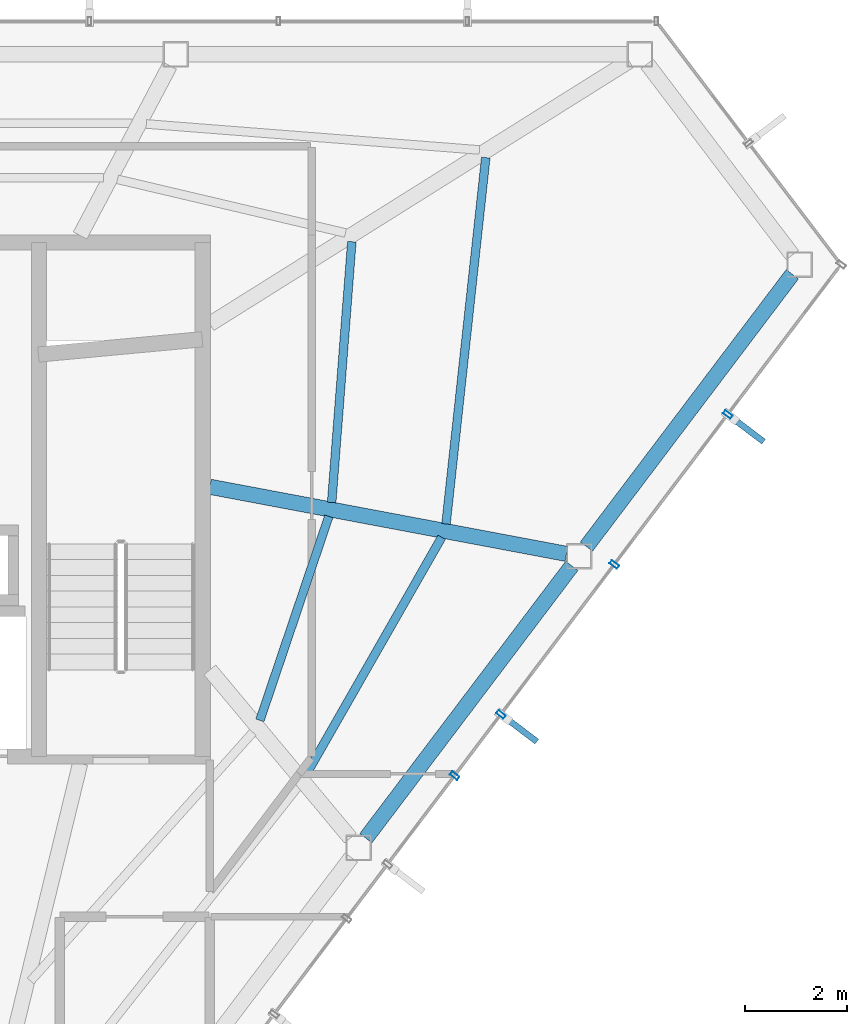
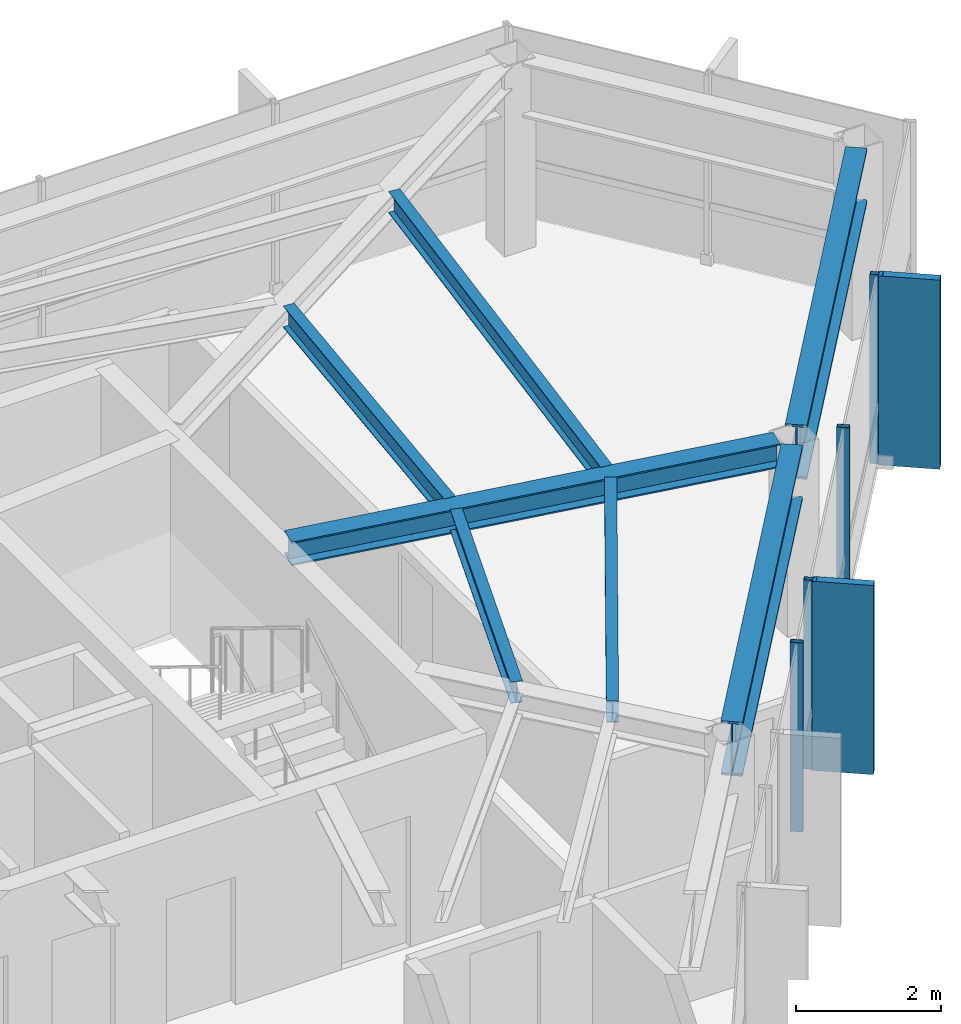
# One storey, part 17 of 24: 7 beams, 6 members, 1 element without a shape of its own.
"""IFC4 building model written with IfcOpenShell, lengths in metres."""

import ifcopenshell
import ifcopenshell.guid

model = None  # the IFC model being written
_history = None  # IfcOwnerHistory: only IFC2X3 demands one
_inside = {}  # id of a spatial element -> (the spatial element, [elements in it])
_under = {}  # id of a project, library or spatial element -> (it, [spatial elements below it])
_declared = {}  # id of a project -> (the project, [libraries it declares])
_typed = {}  # id of a type object -> (the type object, [elements of that type])
_made_of = {}  # id of a material, layer set ... -> (it, [elements and type objects made of it])


def new_model(schema):
    """Start an empty IFC model of exactly this schema.

    Asked for "IFC4X3", IfcOpenShell would pick the latest addendum, in which some entities
    have other attributes; the version numbers below select the first issue.
    IFC2X3 requires an IfcOwnerHistory on every rooted entity: one is made here for all.
    """
    global model, _history
    if schema == "IFC4X3":
        model = ifcopenshell.file(schema_version=(4, 3, 0, 0))
    else:
        model = ifcopenshell.file(schema=schema)
    _inside.clear()
    _under.clear()
    _declared.clear()
    _typed.clear()
    _made_of.clear()
    _history = None
    if model.schema == "IFC2X3":
        org = make("IfcOrganization", Name="unknown")
        user = make(
            "IfcPersonAndOrganization",
            ThePerson=make("IfcPerson", FamilyName="unknown"),
            TheOrganization=org,
        )
        app = make(
            "IfcApplication",
            ApplicationDeveloper=org,
            Version="unknown",
            ApplicationFullName="unknown",
            ApplicationIdentifier="unknown",
        )
        _history = make(
            "IfcOwnerHistory",
            OwningUser=user,
            OwningApplication=app,
            ChangeAction="ADDED",
            CreationDate=0,
        )
    return model


def make(cls, **values):
    """One entity of the class cls with the attributes given. An attribute that is None is left unset."""
    return model.create_entity(
        cls, **{name: value for name, value in values.items() if value is not None}
    )


def rooted(cls, **values):
    """An entity with a GlobalId (a new one), such as an element, a storey or a relation."""
    return make(cls, GlobalId=ifcopenshell.guid.new(), OwnerHistory=_history, **values)


def si_unit(unit_type, name, prefix=None):
    """IfcSIUnit, for example si_unit("LENGTHUNIT", "METRE", prefix="MILLI")."""
    return make("IfcSIUnit", UnitType=unit_type, Prefix=prefix, Name=name)


def assignment(units):
    """IfcUnitAssignment: the units of a project."""
    return None if units is None else make("IfcUnitAssignment", Units=units)


def point(xyz):
    """IfcCartesianPoint."""
    return None if xyz is None else make("IfcCartesianPoint", Coordinates=xyz)


def direction(xyz):
    """IfcDirection."""
    return None if xyz is None else make("IfcDirection", DirectionRatios=xyz)


def frame(location, z_axis=None, x_axis=None):
    """IfcAxis2Placement3D, a coordinate frame: its origin and axes. An axis left out is left unset."""
    return make(
        "IfcAxis2Placement3D",
        Location=point(location),
        Axis=direction(z_axis),
        RefDirection=direction(x_axis),
    )


def frame_2d(location, x_axis=None):
    """IfcAxis2Placement2D, a coordinate frame in the plane: its origin and x axis."""
    return make(
        "IfcAxis2Placement2D", Location=point(location), RefDirection=direction(x_axis)
    )


def origin():
    """The frame at (0, 0, 0) with its axes left unset."""
    return frame((0.0, 0.0, 0.0))


def origin_2d():
    """The frame at (0, 0) in the plane with its x axis left unset."""
    return frame_2d((0.0, 0.0))


def place(relative_to, where):
    """IfcLocalPlacement: puts the frame where relative to a parent placement (None: the world)."""
    return make(
        "IfcLocalPlacement", PlacementRelTo=relative_to, RelativePlacement=where
    )


def context(
    kind, dimensions, precision=None, world=None, true_north=None, identifier=None
):
    """IfcGeometricRepresentationContext, for example the 3D "Model" context."""
    return make(
        "IfcGeometricRepresentationContext",
        ContextIdentifier=identifier,
        ContextType=kind,
        CoordinateSpaceDimension=dimensions,
        Precision=precision,
        WorldCoordinateSystem=world,
        TrueNorth=true_north,
    )


def subcontext(parent, identifier, kind, view, scale=None):
    """IfcGeometricRepresentationSubContext, for example "Body" below "Model"."""
    return make(
        "IfcGeometricRepresentationSubContext",
        ContextIdentifier=identifier,
        ContextType=kind,
        ParentContext=parent,
        TargetScale=scale,
        TargetView=view,
    )


def project(units=None, contexts=None):
    """IfcProject with its units and contexts."""
    return rooted(
        "IfcProject",
        Name="project",
        RepresentationContexts=contexts,
        UnitsInContext=assignment(units),
    )


def spatial(cls, under=None, at=None, **own):
    """A site, building, storey or space (cls), placed at a placement, below another one or the project."""
    s = rooted(cls, ObjectPlacement=at, **own)
    if under is not None:
        _under.setdefault(under.id(), (under, []))[1].append(s)
    return s


def profile(cls, at=None, kind="AREA", **sizes):
    """A parametric profile (cls). Its sizes go by their IFC names, for example OverallWidth=200.0."""
    return make(cls, ProfileType=kind, Position=at, **sizes)


def rectangle(**sizes):
    """IfcRectangleProfileDef."""
    return profile("IfcRectangleProfileDef", **sizes)


def hollow_rectangle(**sizes):
    """IfcRectangleHollowProfileDef."""
    return profile("IfcRectangleHollowProfileDef", **sizes)


def i_section(**sizes):
    """IfcIShapeProfileDef."""
    return profile("IfcIShapeProfileDef", **sizes)


def extrude(swept, where, along, depth):
    """IfcExtrudedAreaSolid: the profile swept, set in the frame where, extruded along a direction by depth."""
    return make(
        "IfcExtrudedAreaSolid",
        SweptArea=swept,
        Position=where,
        ExtrudedDirection=direction(along),
        Depth=depth,
    )


def shape(context_of_items, identifier, shape_type, items):
    """IfcShapeRepresentation: the items that make up one representation, for example the "Body"."""
    return make(
        "IfcShapeRepresentation",
        ContextOfItems=context_of_items,
        RepresentationIdentifier=identifier,
        RepresentationType=shape_type,
        Items=items,
    )


def material(Name=None, Category=None):
    """IfcMaterial."""
    return make("IfcMaterial", Name=Name, Category=Category)


def layer(
    of_material, thickness, ventilated=None, Name=None, Category=None, Priority=None
):
    """IfcMaterialLayer: one layer of a wall or slab, of a material (None: an air gap)."""
    return make(
        "IfcMaterialLayer",
        Material=of_material,
        LayerThickness=thickness,
        IsVentilated=ventilated,
        Name=Name,
        Category=Category,
        Priority=Priority,
    )


def layer_set(layers, Name=None):
    """IfcMaterialLayerSet."""
    return make("IfcMaterialLayerSet", MaterialLayers=layers, LayerSetName=Name)


def material_profile(
    of_material, cross_section, Name=None, Category=None, Priority=None
):
    """IfcMaterialProfile: a cross section and its material."""
    return make(
        "IfcMaterialProfile",
        Name=Name,
        Material=of_material,
        Profile=cross_section,
        Priority=Priority,
        Category=Category,
    )


def profile_set(profiles, Name=None, composite=None):
    """IfcMaterialProfileSet."""
    return make(
        "IfcMaterialProfileSet",
        Name=Name,
        MaterialProfiles=profiles,
        CompositeProfile=composite,
    )


def made_of(thing, what):
    """Note that an element or type object is made of a material, layer set ...; save() writes the relation."""
    if what is not None:
        _made_of.setdefault(what.id(), (what, []))[1].append(thing)
    return thing


def type_object(cls, material=None, **own):
    """A type object (cls), such as IfcWallType, which elements share."""
    return made_of(rooted(cls, **own), material)


def element(
    cls,
    number,
    at=None,
    inside=None,
    cuts=None,
    type_object=None,
    material=None,
    context=None,
    identifier="Body",
    shape_type=None,
    held_by="IfcProductDefinitionShape",
    body=None,
    shapes=None,
    **own,
):
    """One element of the class cls, such as IfcWall. Its Tag is "e" and its number.

    at: its placement. inside: the storey or other place that contains it. cuts: it is an
    opening in that element (IfcRelVoidsElement). A single representation is given by context,
    identifier, shape_type and body (its items); several are given by shapes. held_by: the class
    of the entity that holds the representations. save() writes the other relations.
    """
    e = rooted(cls, Tag="e%d" % number, ObjectPlacement=at, **own)
    if body is not None:
        shapes = [shape(context, identifier, shape_type, body)]
    if shapes is not None:
        e.Representation = make(held_by, Representations=shapes)
    if inside is not None:
        _inside.setdefault(inside.id(), (inside, []))[1].append(e)
    if cuts is not None:
        rooted(
            "IfcRelVoidsElement", RelatingBuildingElement=cuts, RelatedOpeningElement=e
        )
    if type_object is not None:
        _typed.setdefault(type_object.id(), (type_object, []))[1].append(e)
    return made_of(e, material)


def aggregate(whole, parts):
    """IfcRelAggregates: a whole, such as a stair, and the parts it consists of."""
    return rooted("IfcRelAggregates", RelatingObject=whole, RelatedObjects=parts)


def save(model, path):
    """Write the relations noted so far, then the file.

    IfcRelAggregates (storeys below a building ...), IfcRelContainedInSpatialStructure (elements
    in a storey), IfcRelDefinesByType, IfcRelAssociatesMaterial and IfcRelDeclares: one each for
    every whole, place, type object, material and project.
    """
    for whole, parts in _under.values():
        aggregate(whole, parts)
    for where, things in _inside.values():
        rooted(
            "IfcRelContainedInSpatialStructure",
            RelatedElements=things,
            RelatingStructure=where,
        )
    for kind, things in _typed.values():
        rooted("IfcRelDefinesByType", RelatedObjects=things, RelatingType=kind)
    for what, things in _made_of.values():
        rooted("IfcRelAssociatesMaterial", RelatedObjects=things, RelatingMaterial=what)
    for by, libraries in _declared.values():
        rooted("IfcRelDeclares", RelatingContext=by, RelatedDefinitions=libraries)
    model.write(path)


model = new_model("IFC4")

# Units and contexts
model_context = context("Model", 3, precision=1e-05, world=origin(), true_north=direction((0.0, 1.0)))
body_context = subcontext(model_context, "Body", "Model", "MODEL_VIEW")
ifc_project = project(units=[si_unit("LENGTHUNIT", "METRE"), si_unit("AREAUNIT", "SQUARE_METRE"), si_unit("VOLUMEUNIT", "CUBIC_METRE"), si_unit("PLANEANGLEUNIT", "RADIAN"), si_unit("MASSUNIT", "GRAM", prefix="KILO")], contexts=[model_context])

# Site, building, storey
site_placement = place(None, origin())
site = spatial("IfcSite", under=ifc_project, at=site_placement, CompositionType="ELEMENT")
building_placement = place(site_placement, origin())
building = spatial("IfcBuilding", under=site, at=building_placement, Name="Zarrinselat Tower", CompositionType="ELEMENT")
storey_placement = place(building_placement, frame((0.0, 0.0, 272.0)))
storey = spatial("IfcBuildingStorey", under=building, at=storey_placement, Name="L69", CompositionType="ELEMENT", Elevation=272.0)

# Beams
ifc_material_1 = material(Name="Steel S355J2", Category="steel")
ifc_material_profile_1 = material_profile(ifc_material_1, i_section(OverallWidth=0.300048828125, OverallDepth=0.39990234375, WebThickness=0.013427734375, FlangeThickness=0.02392578125, at=origin_2d()), Name="HEB 400")
ifc_profile_set_1 = profile_set([ifc_material_profile_1], Name="Steel S355J2")
beam_type_1 = type_object("IfcBeamType", Name="BM-HEB400", PredefinedType="BEAM", material=ifc_profile_set_1)
beam_1_placement = place(storey_placement, frame((48.35009765625, 38.60009765625, 2.97998046875), z_axis=(0.982752250511, -0.184927050796, 0.0), x_axis=(0.184927050796, 0.982752250511, 0.0)))
element("IfcBeam", 1, at=beam_1_placement, inside=storey, type_object=beam_type_1, Name="L69 Radial Primary Girder RG14", PredefinedType="BEAM", context=body_context, shape_type="SweptSolid", body=[
    extrude(i_section(OverallWidth=0.300048828125, OverallDepth=0.39990234375, WebThickness=0.013427734375, FlangeThickness=0.02392578125, at=origin_2d()), origin(), (0.0, 0.0, 1.0), 7.133056640625),
])
ifc_material_2 = material(Name="Steel S460M", Category="steel")
ifc_material_profile_2 = material_profile(ifc_material_2, i_section(OverallWidth=0.302001953125, OverallDepth=0.909912109375, WebThickness=0.02099609375, FlangeThickness=0.0400390625, at=origin_2d()), Name="HEM 900")
ifc_profile_set_2 = profile_set([ifc_material_profile_2], Name="Steel S460M")
beam_type_2 = type_object("IfcBeamType", Name="BM-HEM900", PredefinedType="BEAM", material=ifc_profile_set_2)
beam_2_placement = place(storey_placement, frame((51.416748046875, 31.692138671875, 2.72509765625), z_axis=(0.603161908748, 0.797618776005, 0.0), x_axis=(-0.797618776005, 0.603161908748, 0.0)))
element("IfcBeam", 2, at=beam_2_placement, inside=storey, type_object=beam_type_2, Name="L69 Perimeter Spandrel Girder SP13", PredefinedType="BEAM", context=body_context, shape_type="SweptSolid", body=[
    extrude(i_section(OverallWidth=0.302001953125, OverallDepth=0.909912109375, WebThickness=0.02099609375, FlangeThickness=0.0400390625, at=origin_2d()), origin(), (0.0, 0.0, 1.0), 6.710693359375),
])
beam_3_placement = place(storey_placement, frame((55.75146484375, 37.42431640625, 2.72509765625), z_axis=(0.603179411803, 0.797605539836, 0.0), x_axis=(-0.797605539836, 0.603179411803, 0.0)))
element("IfcBeam", 3, at=beam_3_placement, inside=storey, type_object=beam_type_2, Name="L69 Perimeter Spandrel Girder SP14", PredefinedType="BEAM", context=body_context, shape_type="SweptSolid", body=[
    extrude(i_section(OverallWidth=0.302001953125, OverallDepth=0.909912109375, WebThickness=0.02099609375, FlangeThickness=0.0400390625, at=origin_2d()), origin(), (0.0, 0.0, 1.0), 6.71044921875),
])
ifc_material_3 = material(Name="Steel S355J2", Category="steel")
ifc_material_profile_3 = material_profile(ifc_material_3, i_section(OverallWidth=0.169921875, OverallDepth=0.360107421875, WebThickness=0.008056640625, FlangeThickness=0.0126953125, at=origin_2d()), Name="IPE 360")
ifc_profile_set_3 = profile_set([ifc_material_profile_3], Name="Steel S355J2")
beam_type_3 = type_object("IfcBeamType", Name="BM-IPE360", PredefinedType="JOIST", material=ifc_profile_set_3)
beam_4_placement = place(storey_placement, frame((50.2421875, 32.940673828125, 3.0), z_axis=(0.495864962839, 0.868399642232, 0.0), x_axis=(-0.868399642232, 0.495864962839, 0.0)))
element("IfcBeam", 4, at=beam_4_placement, inside=storey, type_object=beam_type_3, Name="L69 Composite Floor Joist 4-1", PredefinedType="JOIST", context=body_context, shape_type="SweptSolid", body=[
    extrude(i_section(OverallWidth=0.169921875, OverallDepth=0.360107421875, WebThickness=0.008056640625, FlangeThickness=0.0126953125, at=origin_2d()), origin(), (0.0, 0.0, 1.0), 5.37451171875),
])
beam_5_placement = place(storey_placement, frame((49.333740234375, 34.00927734375, 3.0), z_axis=(0.320153423904, 0.947365708247, 0.0), x_axis=(-0.947365708247, 0.320153423904, 0.0)))
element("IfcBeam", 5, at=beam_5_placement, inside=storey, type_object=beam_type_3, Name="L69 Composite Floor Joist 4-2", PredefinedType="JOIST", context=body_context, shape_type="SweptSolid", body=[
    extrude(i_section(OverallWidth=0.169921875, OverallDepth=0.360107421875, WebThickness=0.008056640625, FlangeThickness=0.0126953125, at=origin_2d()), origin(), (0.0, 0.0, 1.0), 4.232177734375),
])
beam_6_placement = place(storey_placement, frame((52.99169921875, 37.86865234375, 3.0), z_axis=(0.107915805749, 0.99416003685, 0.0), x_axis=(-0.99416003685, 0.107915805749, 0.0)))
element("IfcBeam", 6, at=beam_6_placement, inside=storey, type_object=beam_type_3, Name="L69 Composite Floor Joist 5-1", PredefinedType="JOIST", context=body_context, shape_type="SweptSolid", body=[
    extrude(i_section(OverallWidth=0.169921875, OverallDepth=0.360107421875, WebThickness=0.008056640625, FlangeThickness=0.0126953125, at=origin_2d()), origin(), (0.0, 0.0, 1.0), 7.243896484375),
])
beam_7_placement = place(storey_placement, frame((50.744384765625, 38.291015625, 3.0), z_axis=(0.077117723302, 0.997021994117, 0.0), x_axis=(-0.997021994117, 0.077117723302, 0.0)))
element("IfcBeam", 7, at=beam_7_placement, inside=storey, type_object=beam_type_3, Name="L69 Composite Floor Joist 5-2", PredefinedType="JOIST", context=body_context, shape_type="SweptSolid", body=[
    extrude(i_section(OverallWidth=0.169921875, OverallDepth=0.360107421875, WebThickness=0.008056640625, FlangeThickness=0.0126953125, at=origin_2d()), origin(), (0.0, 0.0, 1.0), 5.141357421875),
])

# Curtain wall, members
ifc_material_4 = material(Name="Extruded Aluminium Alloy EN AW-6063 T6", Category="aluminium")
ifc_layer = layer(ifc_material_4, 0.199951171875)
ifc_layer_set = layer_set([ifc_layer], Name="Extruded Aluminium Alloy EN AW-6063 T6")
curtain_wall_type = type_object("IfcCurtainWallType", Name="CWS-BLADE", PredefinedType="NOTDEFINED", material=ifc_layer_set)
curtain_wall_placement = place(storey_placement, origin())
curtain_wall = element("IfcCurtainWall", 8, at=curtain_wall_placement, inside=storey, type_object=curtain_wall_type, Name="L69 Unitised Curtain Wall CW-L69-E05", PredefinedType="NOTDEFINED")
ifc_material_5 = material(Name="Extruded Aluminium Alloy EN AW-6063 T6", Category="aluminium")
ifc_material_profile_4 = material_profile(ifc_material_5, hollow_rectangle(XDim=0.080078125, YDim=0.179931640625, WallThickness=0.0048828125, at=origin_2d()), Name="RHS 180x80x5")
ifc_profile_set_4 = profile_set([ifc_material_profile_4], Name="Extruded Aluminium Alloy EN AW-6063 T6")
member_type_1 = type_object("IfcMemberType", Name="MEM-CW-MUL", PredefinedType="MULLION", material=ifc_profile_set_4)
member_1_placement = place(storey_placement, frame((53.160400390625, 32.920166015625, 0.0), z_axis=(0.0, 0.0, 1.0), x_axis=(0.603169586453, 0.797612970041, 0.0)))
member_1 = element("IfcMember", 9, at=member_1_placement, type_object=member_type_1, Name="CW-L69-E05 Mullion 6", PredefinedType="MULLION", context=body_context, shape_type="SweptSolid", body=[
    extrude(hollow_rectangle(XDim=0.080078125, YDim=0.179931640625, WallThickness=0.0048828125, at=origin_2d()), origin(), (0.0, 0.0, 1.0), 3.179931640625),
])
member_2_placement = place(storey_placement, frame((54.071533203125, 34.125, 0.0), z_axis=(0.0, 0.0, 1.0), x_axis=(0.603169586453, 0.797612970041, 0.0)))
member_2 = element("IfcMember", 10, at=member_2_placement, type_object=member_type_1, Name="CW-L69-E05 Mullion 7", PredefinedType="MULLION", context=body_context, shape_type="SweptSolid", body=[
    extrude(hollow_rectangle(XDim=0.080078125, YDim=0.179931640625, WallThickness=0.0048828125, at=origin_2d()), origin(), (0.0, 0.0, 1.0), 3.179931640625),
])
member_3_placement = place(storey_placement, frame((56.30029296875, 37.072509765625, 0.0), z_axis=(0.0, 0.0, 1.0), x_axis=(0.603169586453, 0.797612970041, 0.0)))
member_3 = element("IfcMember", 11, at=member_3_placement, type_object=member_type_1, Name="CW-L69-E05 Mullion 8", PredefinedType="MULLION", context=body_context, shape_type="SweptSolid", body=[
    extrude(hollow_rectangle(XDim=0.080078125, YDim=0.179931640625, WallThickness=0.0048828125, at=origin_2d()), origin(), (0.0, 0.0, 1.0), 3.179931640625),
])
member_4_placement = place(storey_placement, frame((58.529296875, 40.02001953125, 0.0), z_axis=(0.0, 0.0, 1.0), x_axis=(0.603169586453, 0.797612970041, 0.0)))
member_4 = element("IfcMember", 12, at=member_4_placement, type_object=member_type_1, Name="CW-L69-E05 Mullion 9", PredefinedType="MULLION", context=body_context, shape_type="SweptSolid", body=[
    extrude(hollow_rectangle(XDim=0.080078125, YDim=0.179931640625, WallThickness=0.0048828125, at=origin_2d()), origin(), (0.0, 0.0, 1.0), 3.179931640625),
])
ifc_material_6 = material(Name="Honed Cream Travertine Stone", Category="masonry")
ifc_material_profile_5 = material_profile(ifc_material_6, rectangle(XDim=0.1201171875, YDim=0.85009765625, at=origin_2d()), Name="FIN 850x120")
ifc_profile_set_5 = profile_set([ifc_material_profile_5], Name="Honed Cream Travertine Stone")
member_type_2 = type_object("IfcMemberType", Name="MEM-STONE-FIN", PredefinedType="USERDEFINED", material=ifc_profile_set_5)
member_5_placement = place(storey_placement, frame((54.4384765625, 33.84765625, 0.0), z_axis=(0.0, 0.0, 1.0), x_axis=(-0.603169586453, -0.797612970041, 0.0)))
member_5 = element("IfcMember", 13, at=member_5_placement, type_object=member_type_2, Name="L69 Stone Shading Fin CW-L69-E05-07", ObjectType="FIN", PredefinedType="USERDEFINED", context=body_context, shape_type="SweptSolid", body=[
    extrude(rectangle(XDim=0.1201171875, YDim=0.85009765625, at=origin_2d()), origin(), (0.0, 0.0, 1.0), 3.179931640625),
])
member_6_placement = place(storey_placement, frame((58.896240234375, 39.742431640625, 0.0), z_axis=(0.0, 0.0, 1.0), x_axis=(-0.603169586453, -0.797612970041, 0.0)))
member_6 = element("IfcMember", 14, at=member_6_placement, type_object=member_type_2, Name="L69 Stone Shading Fin CW-L69-E05-09", ObjectType="FIN", PredefinedType="USERDEFINED", context=body_context, shape_type="SweptSolid", body=[
    extrude(rectangle(XDim=0.1201171875, YDim=0.85009765625, at=origin_2d()), origin(), (0.0, 0.0, 1.0), 3.179931640625),
])
aggregate(curtain_wall, [member_1, member_2, member_5, member_3, member_4, member_6])

save(model, "model.ifc")
